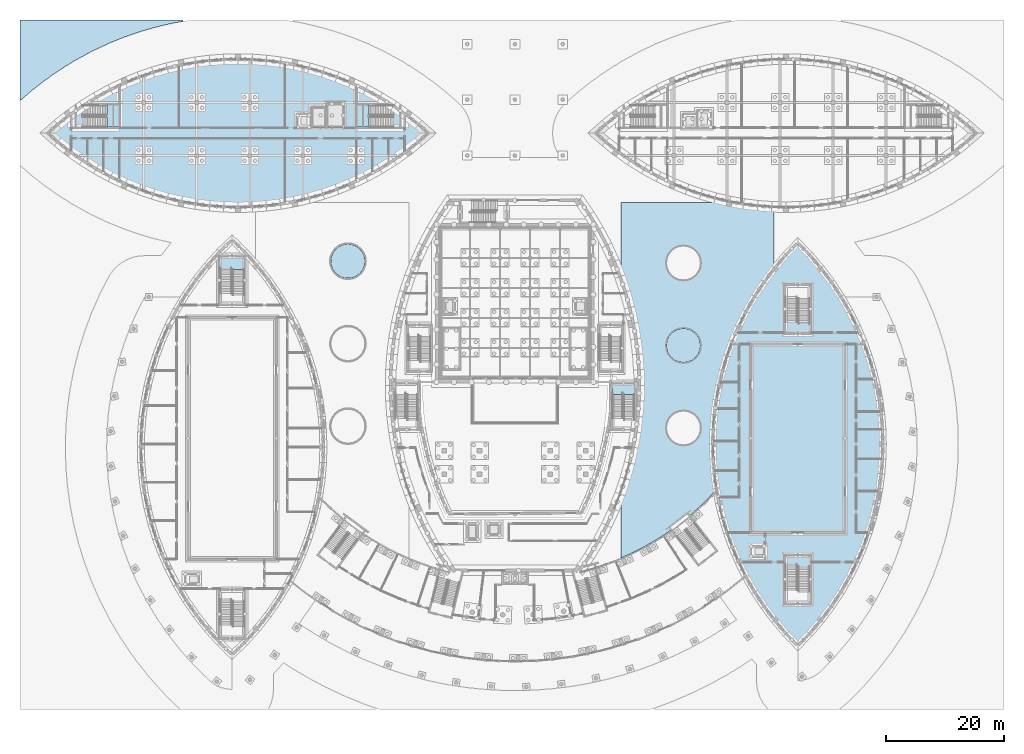
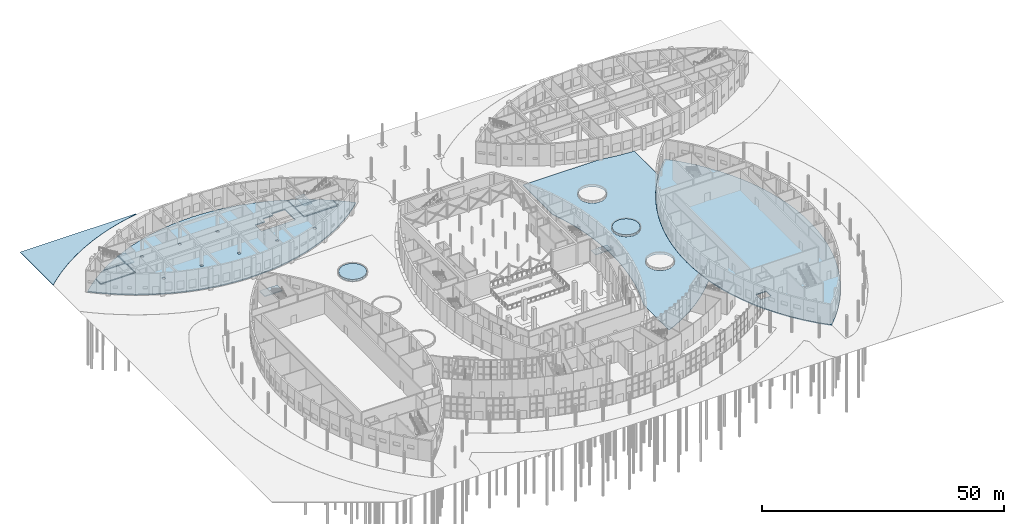
# One storey, part 37 of 82: 12 slabs, 4 elements without a shape of their own.
"""IFC4 building model written with IfcOpenShell, lengths in metres."""

from ifc_helpers import new_model, si_unit, direction, frame, origin, place, context, subcontext, project, spatial, polyline, outline, extrude, material, layer, layer_set, type_object, element, aggregate, save


model = new_model("IFC4")

# Units and contexts
model_context = context("Model", 3, precision=1e-05, world=origin(), true_north=direction((0.0, 1.0)))
body_context = subcontext(model_context, "Body", "Model", "MODEL_VIEW")
ifc_project = project(units=[si_unit("LENGTHUNIT", "METRE"), si_unit("AREAUNIT", "SQUARE_METRE"), si_unit("VOLUMEUNIT", "CUBIC_METRE"), si_unit("PLANEANGLEUNIT", "RADIAN"), si_unit("MASSUNIT", "GRAM", prefix="KILO")], contexts=[model_context])

# Site, building, storey
site_placement = place(None, origin())
site = spatial("IfcSite", under=ifc_project, at=site_placement, CompositionType="ELEMENT")
building_placement = place(site_placement, origin())
building = spatial("IfcBuilding", under=site, at=building_placement, Name="Tide Square Theatres", CompositionType="ELEMENT")
storey_placement = place(building_placement, origin())
storey = spatial("IfcBuildingStorey", under=building, at=storey_placement, Name="L00", CompositionType="ELEMENT", Elevation=0.0)

# Slabs
ifc_material_1 = material(Name="Concrete C30", Category="concrete")
ifc_layer_1 = layer(ifc_material_1, 0.10009765625)
ifc_layer_set_1 = layer_set([ifc_layer_1], Name="Concrete C30")
slab_type_1 = type_object("IfcSlabType", Name="Paving slab 100", PredefinedType="USERDEFINED", material=ifc_layer_set_1)
slab_1_placement = place(storey_placement, frame((0.0, 0.0, -0.10009765625)))
element("IfcSlab", 1, at=slab_1_placement, inside=storey, type_object=slab_type_1, Name="East Court paving", ObjectType="PAVING", PredefinedType="USERDEFINED", context=body_context, shape_type="SweptSolid", body=[
    extrude(outline(polyline([(102.0, 36.2734375), (102.0, 25.716064453125), (103.633544921875, 26.422607421875), (106.327880859375, 27.80517578125), (108.92529296875, 29.3623046875), (111.414794921875, 31.086669921875), (113.78515625, 32.971435546875), (116.026611328125, 35.008056640625), (118.020263671875, 37.075439453125), (117.946533203125, 37.47216796875), (117.6171875, 39.9697265625), (117.4189453125, 42.481201171875), (117.352783203125, 44.99951171875), (117.4189453125, 47.517822265625), (117.616943359375, 50.029296875), (117.946533203125, 52.52685546875), (118.406494140625, 55.003662109375), (119.027099609375, 57.5693359375), (119.787841796875, 60.096923828125), (120.686279296875, 62.578857421875), (121.719482421875, 65.0078125), (123.0283203125, 67.64599609375), (124.49609375, 70.19921875), (126.11767578125, 72.65771484375), (127.886962890625, 75.011962890625), (128.0, 75.14453125), (128.0, 85.0615234375), (127.584228515625, 85.072021484375), (125.174072265625, 85.25439453125), (122.776123046875, 85.5576171875), (120.396484375, 85.981201171875), (120.31591796875, 86.0), (102.0, 86.0), (102.0, 73.7265625), (102.076904296875, 73.53125), (102.958740234375, 70.910888671875), (103.705078125, 68.248779296875), (104.314453125, 65.552001953125), (104.768798828125, 62.936279296875), (105.09423828125, 60.3017578125), (105.289794921875, 57.654296875), (105.35498046875, 55.00048828125), (105.289794921875, 52.3466796875), (105.09423828125, 49.69921875), (104.76904296875, 47.064697265625), (104.314697265625, 44.44921875), (103.705322265625, 41.752197265625), (102.958984375, 39.090087890625), (102.077392578125, 36.469482421875), (102.0, 36.2734375)]), holes=[polyline([(115.593017578125, 47.766845703125), (115.49072265625, 48.543212890625), (115.19091796875, 49.266845703125), (114.714111328125, 49.88818359375), (114.093017578125, 50.364990234375), (113.369384765625, 50.66455078125), (112.593017578125, 50.766845703125), (111.81640625, 50.66455078125), (111.093017578125, 50.364990234375), (110.4716796875, 49.88818359375), (109.994873046875, 49.266845703125), (109.695068359375, 48.543212890625), (109.593017578125, 47.766845703125), (109.695068359375, 46.990234375), (109.994873046875, 46.266845703125), (110.4716796875, 45.6455078125), (111.093017578125, 45.168701171875), (111.81640625, 44.868896484375), (112.593017578125, 44.766845703125), (113.369384765625, 44.868896484375), (114.093017578125, 45.168701171875), (114.714111328125, 45.6455078125), (115.19091796875, 46.266845703125), (115.49072265625, 46.990234375), (115.593017578125, 47.766845703125)]), polyline([(115.49072265625, 60.990234375), (115.593017578125, 61.766845703125), (115.49072265625, 62.543212890625), (115.19091796875, 63.266845703125), (114.714111328125, 63.88818359375), (114.093017578125, 64.364990234375), (113.369384765625, 64.66455078125), (112.593017578125, 64.766845703125), (111.81640625, 64.66455078125), (111.093017578125, 64.364990234375), (110.4716796875, 63.88818359375), (109.994873046875, 63.266845703125), (109.695068359375, 62.543212890625), (109.593017578125, 61.766845703125), (109.695068359375, 60.990234375), (109.994873046875, 60.266845703125), (110.4716796875, 59.6455078125), (111.093017578125, 59.168701171875), (111.81640625, 58.868896484375), (112.593017578125, 58.766845703125), (113.369384765625, 58.868896484375), (114.093017578125, 59.168701171875), (114.714111328125, 59.6455078125), (115.19091796875, 60.266845703125), (115.49072265625, 60.990234375)]), polyline([(115.49072265625, 74.990234375), (115.593017578125, 75.766845703125), (115.49072265625, 76.543212890625), (115.19091796875, 77.266845703125), (114.714111328125, 77.88818359375), (114.093017578125, 78.364990234375), (113.369384765625, 78.66455078125), (112.593017578125, 78.766845703125), (111.81640625, 78.66455078125), (111.093017578125, 78.364990234375), (110.4716796875, 77.88818359375), (109.994873046875, 77.266845703125), (109.695068359375, 76.543212890625), (109.593017578125, 75.766845703125), (109.695068359375, 74.990234375), (109.994873046875, 74.266845703125), (110.4716796875, 73.6455078125), (111.093017578125, 73.168701171875), (111.81640625, 72.868896484375), (112.593017578125, 72.766845703125), (113.369384765625, 72.868896484375), (114.093017578125, 73.168701171875), (114.714111328125, 73.6455078125), (115.19091796875, 74.266845703125), (115.49072265625, 74.990234375)])]), origin(), (0.0, 0.0, 1.0), 0.10009765625),
])
slab_2_placement = place(storey_placement, frame((0.0, 0.0, -0.10009765625)))
element("IfcSlab", 2, at=slab_2_placement, inside=storey, type_object=slab_type_1, Name="Square paving", ObjectType="PAVING", PredefinedType="USERDEFINED", context=body_context, shape_type="SweptSolid", body=[
    extrude(outline(polyline([(0.0, 117.0), (0.0, 103.27880859375), (1.6259765625, 104.707275390625), (1.903564453125, 104.938720703125), (3.8447265625, 106.474609375), (4.15234375, 106.704345703125), (6.427001953125, 108.3095703125), (6.765869140625, 108.5341796875), (9.1298828125, 110.004638671875), (9.48095703125, 110.209228515625), (11.92626953125, 111.540283203125), (12.288818359375, 111.724365234375), (14.806884765625, 112.911376953125), (15.16162109375, 113.06689453125), (17.4990234375, 114.0146484375), (17.84375, 114.14404296875), (20.2275390625, 114.9677734375), (20.57861328125, 115.078857421875), (23.00244140625, 115.7763671875), (23.35888671875, 115.868896484375), (25.81591796875, 116.43798828125), (26.169189453125, 116.51025390625), (27.679931640625, 116.779296875), (27.660400390625, 117.0), (0.0, 117.0)])), origin(), (0.0, 0.0, 1.0), 0.10009765625),
])
ifc_material_2 = material(Name="Topsoil on drainage layer")
ifc_layer_2 = layer(ifc_material_2, 0.5)
ifc_layer_set_2 = layer_set([ifc_layer_2], Name="Topsoil on drainage layer")
slab_type_2 = type_object("IfcSlabType", Name="Planting bed 500", PredefinedType="USERDEFINED", material=ifc_layer_set_2)
slab_3_placement = place(storey_placement, frame((0.0, 0.0, -0.050048828125)))
element("IfcSlab", 3, at=slab_3_placement, inside=storey, type_object=slab_type_2, Name="Planting bed", ObjectType="PLANTING BED", PredefinedType="USERDEFINED", context=body_context, shape_type="SweptSolid", body=[
    extrude(outline(polyline([(58.44921875, 76.819580078125), (58.15966796875, 77.518798828125), (57.698974609375, 78.119384765625), (57.098388671875, 78.580078125), (56.3994140625, 78.86962890625), (55.64892578125, 78.968505859375), (54.8984375, 78.86962890625), (54.19921875, 78.580078125), (53.598876953125, 78.119384765625), (53.13818359375, 77.518798828125), (52.848388671875, 76.819580078125), (52.749755859375, 76.0693359375), (52.848388671875, 75.31884765625), (53.13818359375, 74.61962890625), (53.598876953125, 74.019287109375), (54.19921875, 73.55859375), (54.8984375, 73.268798828125), (55.64892578125, 73.170166015625), (56.3994140625, 73.268798828125), (57.098388671875, 73.55859375), (57.698974609375, 74.019287109375), (58.15966796875, 74.61962890625), (58.44921875, 75.31884765625), (58.548095703125, 76.0693359375), (58.44921875, 76.819580078125)])), origin(), (0.0, 0.0, 1.0), 0.5),
])
slab_4_placement = place(storey_placement, frame((0.0, 0.0, -0.050048828125)))
element("IfcSlab", 4, at=slab_4_placement, inside=storey, type_object=slab_type_2, Name="Planting bed", ObjectType="PLANTING BED", PredefinedType="USERDEFINED", context=body_context, shape_type="SweptSolid", body=[
    extrude(outline(polyline([(115.393310546875, 62.51708984375), (115.103515625, 63.21630859375), (114.642822265625, 63.81689453125), (114.04248046875, 64.277587890625), (113.34326171875, 64.567138671875), (112.593017578125, 64.666015625), (111.842529296875, 64.567138671875), (111.143310546875, 64.277587890625), (110.54296875, 63.81689453125), (110.082275390625, 63.21630859375), (109.79248046875, 62.51708984375), (109.69384765625, 61.766845703125), (109.79248046875, 61.016357421875), (110.082275390625, 60.317138671875), (110.54296875, 59.716796875), (111.143310546875, 59.256103515625), (111.842529296875, 58.96630859375), (112.593017578125, 58.86767578125), (113.34326171875, 58.96630859375), (114.04248046875, 59.256103515625), (114.642822265625, 59.716796875), (115.103515625, 60.317138671875), (115.393310546875, 61.016357421875), (115.491943359375, 61.766845703125), (115.393310546875, 62.51708984375)])), origin(), (0.0, 0.0, 1.0), 0.5),
])
ifc_material_3 = material(Name="Concrete C35", Category="concrete")
ifc_layer_3 = layer(ifc_material_3, 0.25)
ifc_layer_set_3 = layer_set([ifc_layer_3], Name="Concrete C35")
slab_type_3 = type_object("IfcSlabType", Name="RC baseslab slab 250", PredefinedType="BASESLAB", material=ifc_layer_set_3)
slab_5_placement = place(storey_placement, frame((0.0, 0.0, -0.25)))
element("IfcSlab", 5, at=slab_5_placement, inside=storey, type_object=slab_type_3, Name="Black Box Theatre ground slab", PredefinedType="BASESLAB", context=body_context, shape_type="SweptSolid", body=[
    extrude(outline(polyline([(132.0, 10.5), (134.119873046875, 12.68505859375), (136.09716796875, 15.0), (137.865478515625, 17.353515625), (139.486572265625, 19.810791015625), (140.953857421875, 22.36279296875), (142.261962890625, 25.0), (143.294921875, 27.427978515625), (144.193115234375, 29.908935546875), (144.95361328125, 32.435546875), (145.573974609375, 35.0), (146.03369140625, 37.475830078125), (146.363037109375, 39.972412109375), (146.56103515625, 42.482666015625), (146.627197265625, 45.0), (146.56103515625, 47.517333984375), (146.363037109375, 50.027587890625), (146.03369140625, 52.524169921875), (145.573974609375, 55.0), (144.95361328125, 57.564453125), (144.193115234375, 60.091064453125), (143.294921875, 62.572021484375), (142.261962890625, 65.0), (140.953857421875, 67.63720703125), (139.486572265625, 70.189208984375), (137.865478515625, 72.646484375), (136.09716796875, 75.0), (134.119873046875, 77.31494140625), (132.0, 79.5), (129.880126953125, 77.31494140625), (127.90283203125, 75.0), (126.134521484375, 72.646484375), (124.513427734375, 70.189208984375), (123.046142578125, 67.63720703125), (121.738037109375, 65.0), (120.705078125, 62.572021484375), (119.806884765625, 60.091064453125), (119.04638671875, 57.564453125), (118.426025390625, 55.0), (117.96630859375, 52.524169921875), (117.636962890625, 50.027587890625), (117.43896484375, 47.517333984375), (117.372802734375, 45.0), (117.43896484375, 42.482666015625), (117.636962890625, 39.972412109375), (117.96630859375, 37.475830078125), (118.426025390625, 35.0), (119.04638671875, 32.435546875), (119.806884765625, 29.908935546875), (120.705078125, 27.427978515625), (121.738037109375, 25.0), (123.046142578125, 22.36279296875), (124.513427734375, 19.810791015625), (126.134521484375, 17.353515625), (127.90283203125, 15.0), (129.880126953125, 12.68505859375), (132.0, 10.5)]), holes=[polyline([(126.419921875, 25.800048828125), (126.419921875, 27.800048828125), (123.919921875, 27.800048828125), (123.919921875, 25.800048828125), (126.419921875, 25.800048828125)])]), origin(), (0.0, 0.0, 1.0), 0.25),
])
slab_6_placement = place(storey_placement, frame((0.0, 0.0, -0.25)))
element("IfcSlab", 6, at=slab_6_placement, inside=storey, type_object=slab_type_3, Name="Scenery Workshops ground slab L00", PredefinedType="BASESLAB", context=body_context, shape_type="SweptSolid", body=[
    extrude(outline(polyline([(48.9560546875, 86.957275390625), (51.359130859375, 87.64892578125), (53.72265625, 88.465576171875), (56.03955078125, 89.405029296875), (58.53662109375, 90.582275390625), (60.9609375, 91.90185546875), (63.3046875, 93.35986328125), (65.560546875, 94.95166015625), (67.484619140625, 96.473876953125), (68.993896484375, 97.800048828125), (67.484619140625, 99.1259765625), (65.560546875, 100.648193359375), (65.39990234375, 100.761474609375), (65.39990234375, 98.699951171875), (65.300048828125, 98.699951171875), (65.300048828125, 98.60009765625), (57.10009765625, 98.60009765625), (57.10009765625, 98.699951171875), (57.0, 98.699951171875), (57.0, 102.64990234375), (57.0, 105.6396484375), (57.199951171875, 105.6396484375), (57.199951171875, 102.75), (62.48486328125, 102.75), (60.9609375, 103.697998046875), (58.53662109375, 105.017822265625), (56.03955078125, 106.195068359375), (53.72265625, 107.134521484375), (51.359130859375, 107.951171875), (48.9560546875, 108.642578125), (46.519775390625, 109.20703125), (44.1611328125, 109.626953125), (41.7841796875, 109.927490234375), (39.39501953125, 110.1083984375), (37.0, 110.168701171875), (34.60498046875, 110.1083984375), (32.2158203125, 109.927490234375), (29.8388671875, 109.626953125), (27.480224609375, 109.20703125), (25.0439453125, 108.642578125), (22.640869140625, 107.951171875), (20.27734375, 107.134521484375), (17.96044921875, 106.195068359375), (15.46337890625, 105.017822265625), (13.0390625, 103.697998046875), (11.51513671875, 102.75), (16.800048828125, 102.75), (16.800048828125, 105.6396484375), (17.0, 105.6396484375), (17.0, 102.64990234375), (17.0, 98.699951171875), (16.89990234375, 98.699951171875), (16.89990234375, 98.60009765625), (8.699951171875, 98.60009765625), (8.699951171875, 98.699951171875), (8.60009765625, 98.699951171875), (8.60009765625, 100.761474609375), (8.439453125, 100.648193359375), (6.515380859375, 99.1259765625), (5.006103515625, 97.800048828125), (6.515380859375, 96.473876953125), (8.439453125, 94.95166015625), (10.6953125, 93.35986328125), (13.0390625, 91.90185546875), (15.46337890625, 90.582275390625), (17.96044921875, 89.405029296875), (20.27734375, 88.465576171875), (22.640869140625, 87.64892578125), (25.0439453125, 86.957275390625), (27.480224609375, 86.39306640625), (29.8388671875, 85.97314453125), (32.2158203125, 85.67236328125), (34.60498046875, 85.49169921875), (37.0, 85.431396484375), (39.39501953125, 85.49169921875), (41.7841796875, 85.67236328125), (44.1611328125, 85.97314453125), (46.519775390625, 86.39306640625), (48.9560546875, 86.957275390625)]), holes=[polyline([(51.89990234375, 102.39990234375), (51.89990234375, 102.89990234375), (52.0, 102.89990234375), (52.0, 103.0), (55.0, 103.0), (55.0, 102.89990234375), (55.10009765625, 102.89990234375), (55.10009765625, 98.699951171875), (55.0, 98.699951171875), (55.0, 98.60009765625), (52.0, 98.60009765625), (49.39990234375, 98.60009765625), (47.0, 98.60009765625), (47.0, 98.699951171875), (46.89990234375, 98.699951171875), (46.89990234375, 101.10009765625), (47.0, 101.10009765625), (47.0, 101.199951171875), (49.300048828125, 101.199951171875), (49.300048828125, 102.300048828125), (49.39990234375, 102.300048828125), (49.39990234375, 102.39990234375), (51.89990234375, 102.39990234375)]), polyline([(20.699951171875, 93.699951171875), (20.699951171875, 94.300048828125), (21.300048828125, 94.300048828125), (21.300048828125, 93.699951171875), (20.699951171875, 93.699951171875)]), polyline([(20.699951171875, 103.300048828125), (21.300048828125, 103.300048828125), (21.300048828125, 102.699951171875), (20.699951171875, 102.699951171875), (20.699951171875, 103.300048828125)]), polyline([(30.300048828125, 94.300048828125), (30.300048828125, 93.699951171875), (29.699951171875, 93.699951171875), (29.699951171875, 94.300048828125), (30.300048828125, 94.300048828125)]), polyline([(30.300048828125, 102.699951171875), (29.699951171875, 102.699951171875), (29.699951171875, 103.300048828125), (30.300048828125, 103.300048828125), (30.300048828125, 102.699951171875)]), polyline([(38.699951171875, 93.699951171875), (38.699951171875, 94.300048828125), (39.300048828125, 94.300048828125), (39.300048828125, 93.699951171875), (38.699951171875, 93.699951171875)]), polyline([(38.699951171875, 103.300048828125), (39.300048828125, 103.300048828125), (39.300048828125, 102.699951171875), (38.699951171875, 102.699951171875), (38.699951171875, 103.300048828125)]), polyline([(48.300048828125, 94.300048828125), (48.300048828125, 93.699951171875), (47.699951171875, 93.699951171875), (47.699951171875, 94.300048828125), (48.300048828125, 94.300048828125)]), polyline([(57.300048828125, 93.699951171875), (56.699951171875, 93.699951171875), (56.699951171875, 94.300048828125), (57.300048828125, 94.300048828125), (57.300048828125, 93.699951171875)])]), origin(), (0.0, 0.0, 1.0), 0.25),
])
slab_7_placement = place(storey_placement, frame((0.0, 0.0, -0.25)))
element("IfcSlab", 7, at=slab_7_placement, inside=storey, type_object=slab_type_3, Name="Scenery Workshops ground slab L00", PredefinedType="BASESLAB", context=body_context, shape_type="SweptSolid", body=[
    extrude(outline(polyline([(65.199951171875, 98.800048828125), (65.199951171875, 100.770751953125), (65.38671875, 100.770751953125), (63.3046875, 102.239990234375), (62.551025390625, 102.708984375), (62.551025390625, 102.550048828125), (57.199951171875, 102.550048828125), (57.199951171875, 98.800048828125), (65.199951171875, 98.800048828125)])), origin(), (0.0, 0.0, 1.0), 0.25),
])
slab_8_placement = place(storey_placement, frame((0.0, 0.0, -0.25)))
element("IfcSlab", 8, at=slab_8_placement, inside=storey, type_object=slab_type_3, Name="Scenery Workshops ground slab L00", PredefinedType="BASESLAB", context=body_context, shape_type="SweptSolid", body=[
    extrude(outline(polyline([(16.800048828125, 102.550048828125), (11.448974609375, 102.550048828125), (11.448974609375, 102.708984375), (10.6953125, 102.239990234375), (8.61328125, 100.770751953125), (8.800048828125, 100.770751953125), (8.800048828125, 98.800048828125), (16.800048828125, 98.800048828125), (16.800048828125, 102.550048828125)])), origin(), (0.0, 0.0, 1.0), 0.25),
])

# Stair, slab
ifc_material_4 = material(Name="Concrete C35", Category="concrete")
stair_type_1 = type_object("IfcStairType", Name="Stair half turn 1800 wide, 32 risers, rise 5400", PredefinedType="HALF_TURN_STAIR", material=ifc_material_4)
stair_1_placement = place(storey_placement, origin())
stair_1 = element("IfcStair", 9, at=stair_1_placement, inside=storey, type_object=stair_type_1, Name="Main Theatre East Circle Stair", PredefinedType="HALF_TURN_STAIR")
ifc_material_5 = material(Name="Concrete C35", Category="concrete")
ifc_layer_4 = layer(ifc_material_5, 0.199951171875)
ifc_layer_set_4 = layer_set([ifc_layer_4], Name="Concrete C35")
slab_type_4 = type_object("IfcSlabType", Name="RC landing slab 200", PredefinedType="LANDING", material=ifc_layer_set_4)
slab_9_placement = place(storey_placement, frame((0.0, 0.0, 2.5)))
slab_9 = element("IfcSlab", 10, at=slab_9_placement, type_object=slab_type_4, Name="ST-1800-5400 landing 1", PredefinedType="LANDING", context=body_context, shape_type="SweptSolid", body=[
    extrude(outline(polyline([(104.300048828125, 53.449951171875), (104.300048828125, 55.300048828125), (100.5, 55.300048828125), (100.5, 53.449951171875), (104.300048828125, 53.449951171875)])), origin(), (0.0, 0.0, 1.0), 0.199951171875),
])
aggregate(stair_1, [slab_9])

ifc_material_6 = material(Name="Concrete C35", Category="concrete")
stair_type_2 = type_object("IfcStairType", Name="Stair half turn 2000 wide, 32 risers, rise 5400", PredefinedType="HALF_TURN_STAIR", material=ifc_material_6)
stair_2_placement = place(storey_placement, origin())
stair_2 = element("IfcStair", 11, at=stair_2_placement, inside=storey, type_object=stair_type_2, Name="Studio Theatre Stair S1", PredefinedType="HALF_TURN_STAIR")
slab_10_placement = place(storey_placement, frame((0.0, 0.0, 2.5)))
slab_10 = element("IfcSlab", 12, at=slab_10_placement, type_object=slab_type_4, Name="ST-2000-5400 landing 1", PredefinedType="LANDING", context=body_context, shape_type="SweptSolid", body=[
    extrude(outline(polyline([(38.10009765625, 74.64990234375), (38.10009765625, 76.85009765625), (33.89990234375, 76.85009765625), (33.89990234375, 74.64990234375), (38.10009765625, 74.64990234375)])), origin(), (0.0, 0.0, 1.0), 0.199951171875),
])
aggregate(stair_2, [slab_10])

ifc_material_7 = material(Name="Concrete C35", Category="concrete")
stair_type_3 = type_object("IfcStairType", Name="Stair half turn 1300 wide", PredefinedType="HALF_TURN_STAIR", material=ifc_material_7)
stair_3_placement = place(storey_placement, origin())
stair_3 = element("IfcStair", 13, at=stair_3_placement, inside=storey, type_object=stair_type_3, Name="L00 Scenery Workshops stair 1", PredefinedType="HALF_TURN_STAIR")
slab_11_placement = place(storey_placement, frame((0.0, 0.0, 2.5)))
slab_11 = element("IfcSlab", 14, at=slab_11_placement, type_object=slab_type_4, Name="WST-1 landing 1", PredefinedType="LANDING", context=body_context, shape_type="SweptSolid", body=[
    extrude(outline(polyline([(14.799072265625, 98.800048828125), (16.800048828125, 98.800048828125), (16.800048828125, 102.550048828125), (14.799072265625, 102.550048828125), (14.799072265625, 98.800048828125)])), origin(), (0.0, 0.0, 1.0), 0.199951171875),
])
aggregate(stair_3, [slab_11])

stair_4_placement = place(storey_placement, origin())
stair_4 = element("IfcStair", 15, at=stair_4_placement, inside=storey, type_object=stair_type_3, Name="L00 Scenery Workshops stair 2", PredefinedType="HALF_TURN_STAIR")
slab_12_placement = place(storey_placement, frame((0.0, 0.0, 2.5)))
slab_12 = element("IfcSlab", 16, at=slab_12_placement, type_object=slab_type_4, Name="WST-2 landing 1", PredefinedType="LANDING", context=body_context, shape_type="SweptSolid", body=[
    extrude(outline(polyline([(59.200927734375, 102.550048828125), (57.199951171875, 102.550048828125), (57.199951171875, 98.800048828125), (59.200927734375, 98.800048828125), (59.200927734375, 102.550048828125)])), origin(), (0.0, 0.0, 1.0), 0.199951171875),
])
aggregate(stair_4, [slab_12])

save(model, "model.ifc")
